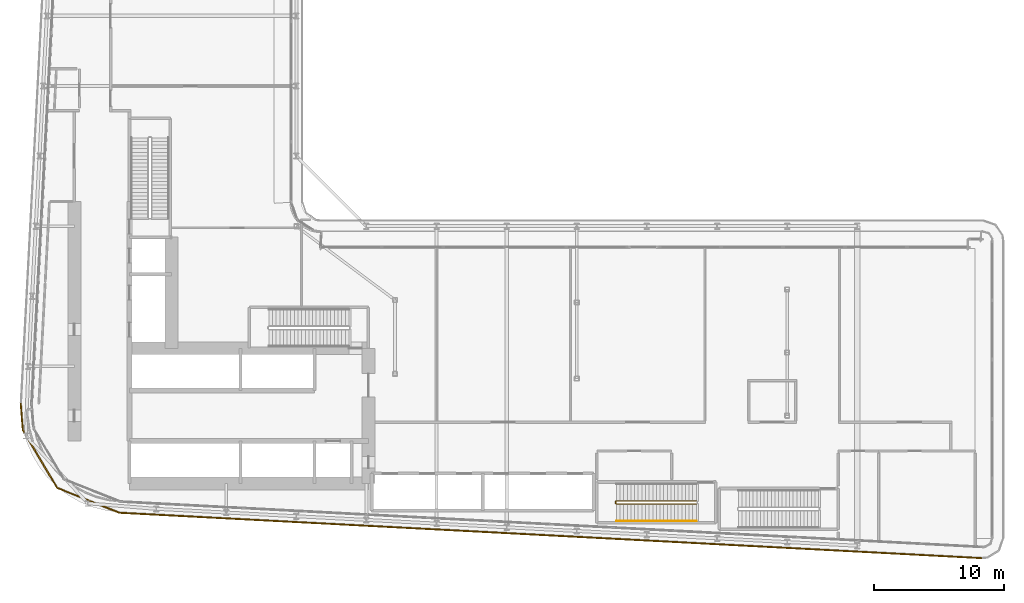
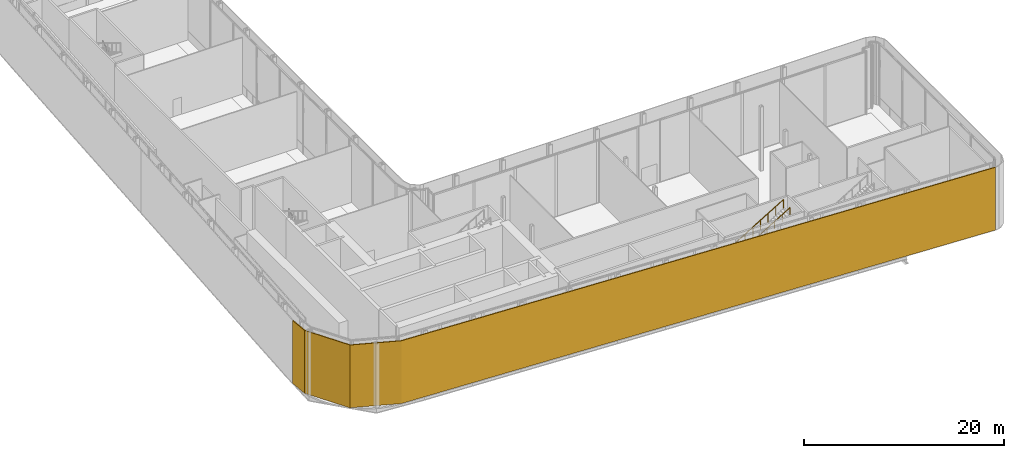
# One storey, part 32 of 36: 2 railings, 1 shading device.
"""IFC4 building model written with IfcOpenShell, lengths in metres."""

from ifc_helpers import new_model, si_unit, direction, frame, origin, origin_2d, place, context, subcontext, project, spatial, polyline, circle, outline, extrude, material, layer, layer_set, type_object, element, save


model = new_model("IFC4")

# Units and contexts
model_context = context("Model", 3, precision=1e-05, world=origin(), true_north=direction((0.0, 1.0)))
body_context = subcontext(model_context, "Body", "Model", "MODEL_VIEW")
ifc_project = project(units=[si_unit("LENGTHUNIT", "METRE"), si_unit("AREAUNIT", "SQUARE_METRE"), si_unit("VOLUMEUNIT", "CUBIC_METRE"), si_unit("PLANEANGLEUNIT", "RADIAN"), si_unit("MASSUNIT", "GRAM", prefix="KILO")], contexts=[model_context])

# Site, building, storey
site_placement = place(None, origin())
site = spatial("IfcSite", under=ifc_project, at=site_placement, CompositionType="ELEMENT")
building_placement = place(site_placement, origin())
building = spatial("IfcBuilding", under=site, at=building_placement, Name="Kheshtan School and Residences Tower", CompositionType="ELEMENT")
storey_placement = place(building_placement, frame((0.0, 0.0, 81.199951171875)))
storey = spatial("IfcBuildingStorey", under=building, at=storey_placement, Name="L19", CompositionType="ELEMENT", Elevation=81.199951171875)

# Shading device
ifc_material_1 = material(Name="Terracotta baguette, extruded ceramic", Category="masonry")
ifc_layer = layer(ifc_material_1, 0.10009765625)
ifc_layer_set = layer_set([ifc_layer], Name="Ledge screen, terracotta baguettes")
shading_device_type = type_object("IfcShadingDeviceType", Name="Ledge screen, terracotta baguettes", PredefinedType="USERDEFINED", material=ifc_layer_set)
shading_device_placement = place(storey_placement, origin())
element("IfcShadingDevice", 1, at=shading_device_placement, inside=storey, type_object=shading_device_type, Name="Screen L19 5", ObjectType="BAGUETTE", PredefinedType="USERDEFINED", context=body_context, shape_type="SweptSolid", body=[
    extrude(outline(polyline([(100.4208984375, 20.0830078125), (33.989013671875, 23.580078125), (29.2119140625, 25.486083984375), (26.583984375, 29.906982421875), (26.419921875, 31.989013671875), (26.320068359375, 31.98095703125), (26.486083984375, 29.8759765625), (29.14306640625, 25.406005859375), (33.967041015625, 23.48095703125), (100.416015625, 19.98291015625), (100.4208984375, 20.0830078125)])), origin(), (0.0, 0.0, 1.0), 7.650146484375),
])

# Railings
ifc_material_2 = material(Name="Stainless steel balustrade", Category="steel")
railing_type_1 = type_object("IfcRailingType", Name="Stair guard 1100", PredefinedType="GUARDRAIL", material=ifc_material_2)
railing_1_placement = place(storey_placement, frame((78.409912109375, 24.449951171875, 0.169677734375)))
element("IfcRailing", 2, at=railing_1_placement, inside=storey, type_object=railing_type_1, Name="L19 ST5 stair guard 1", PredefinedType="GUARDRAIL", context=body_context, shape_type="SweptSolid", body=[
    extrude(circle(Radius=0.02392578125, at=origin_2d()), frame((0.0, 0.0, 1.076171875), z_axis=(-0.855370820849, 0.0, 0.518016176234), x_axis=(0.0, -1.0, 0.0)), (0.0, 0.0, 1.0), 7.201416015625),
    extrude(circle(Radius=0.02392578125, at=origin_2d()), frame((-6.159912109375, 0.0, 4.806640625), z_axis=(-0.707106781187, -0.707106781187, 0.0), x_axis=(0.707106781187, -0.707106781187, 0.0)), (0.0, 0.0, 1.0), 0.07080078125),
    extrude(circle(Radius=0.02392578125, at=origin_2d()), frame((-6.2099609375, -0.050048828125, 4.806640625), z_axis=(0.0, -1.0, 0.0), x_axis=(1.0, 0.0, 0.0)), (0.0, 0.0, 1.0), 0.14990234375),
    extrude(circle(Radius=0.02392578125, at=origin_2d()), frame((-6.2099609375, -0.199951171875, 4.806640625), z_axis=(0.272562526181, -0.272562526181, 0.92272386912), x_axis=(0.707106781187, 0.707106781187, 0.0)), (0.0, 0.0, 1.0), 0.18359375),
    extrude(circle(Radius=0.02392578125, at=origin_2d()), frame((-6.159912109375, -0.25, 4.97607421875), z_axis=(0.855370820849, 0.0, 0.518016176234), x_axis=(0.0, 1.0, 0.0)), (0.0, 0.0, 1.0), 7.201416015625),
    extrude(circle(Radius=0.02099609375, at=origin_2d()), origin(), (0.0, 0.0, 1.0), 1.052001953125),
    extrude(circle(Radius=0.02099609375, at=origin_2d()), frame((-0.8798828125, 0.0, 0.532958984375)), (0.0, 0.0, 1.0), 1.052001953125),
    extrude(circle(Radius=0.02099609375, at=origin_2d()), frame((-1.760009765625, 0.0, 1.06591796875)), (0.0, 0.0, 1.0), 1.052001953125),
    extrude(circle(Radius=0.02099609375, at=origin_2d()), frame((-2.639892578125, 0.0, 1.598876953125)), (0.0, 0.0, 1.0), 1.052001953125),
    extrude(circle(Radius=0.02099609375, at=origin_2d()), frame((-3.52001953125, 0.0, 2.131591796875)), (0.0, 0.0, 1.0), 1.052001953125),
    extrude(circle(Radius=0.02099609375, at=origin_2d()), frame((-4.39990234375, 0.0, 2.66455078125)), (0.0, 0.0, 1.0), 1.052001953125),
    extrude(circle(Radius=0.02099609375, at=origin_2d()), frame((-5.280029296875, 0.0, 3.197509765625)), (0.0, 0.0, 1.0), 1.052001953125),
    extrude(circle(Radius=0.02099609375, at=origin_2d()), frame((-6.159912109375, 0.0, 3.73046875)), (0.0, 0.0, 1.0), 1.052001953125),
    extrude(circle(Radius=0.02099609375, at=origin_2d()), frame((-6.2099609375, -0.050048828125, 3.73046875)), (0.0, 0.0, 1.0), 1.052001953125),
    extrude(circle(Radius=0.02099609375, at=origin_2d()), frame((-6.2099609375, -0.199951171875, 3.73046875)), (0.0, 0.0, 1.0), 1.052001953125),
    extrude(circle(Radius=0.02099609375, at=origin_2d()), frame((-6.159912109375, -0.25, 3.89990234375)), (0.0, 0.0, 1.0), 1.052001953125),
    extrude(circle(Radius=0.02099609375, at=origin_2d()), frame((-5.280029296875, -0.25, 4.432861328125)), (0.0, 0.0, 1.0), 1.052001953125),
    extrude(circle(Radius=0.02099609375, at=origin_2d()), frame((-4.39990234375, -0.25, 4.9658203125)), (0.0, 0.0, 1.0), 1.052001953125),
    extrude(circle(Radius=0.02099609375, at=origin_2d()), frame((-3.52001953125, -0.25, 5.498779296875)), (0.0, 0.0, 1.0), 1.052001953125),
    extrude(circle(Radius=0.02099609375, at=origin_2d()), frame((-2.639892578125, -0.25, 6.031494140625)), (0.0, 0.0, 1.0), 1.052001953125),
    extrude(circle(Radius=0.02099609375, at=origin_2d()), frame((-1.760009765625, -0.25, 6.564453125)), (0.0, 0.0, 1.0), 1.052001953125),
    extrude(circle(Radius=0.02099609375, at=origin_2d()), frame((-0.8798828125, -0.25, 7.097412109375)), (0.0, 0.0, 1.0), 1.052001953125),
    extrude(circle(Radius=0.02099609375, at=origin_2d()), frame((0.0, -0.25, 7.63037109375)), (0.0, 0.0, 1.0), 1.052001953125),
])
ifc_material_3 = material(Name="Stainless steel handrail", Category="steel")
railing_type_2 = type_object("IfcRailingType", Name="Stair handrail 900", PredefinedType="HANDRAIL", material=ifc_material_3)
railing_2_placement = place(storey_placement, frame((72.25, 22.89990234375, 4.069580078125)))
element("IfcRailing", 3, at=railing_2_placement, inside=storey, type_object=railing_type_2, Name="L19 ST5 stair handrail 2", PredefinedType="HANDRAIL", context=body_context, shape_type="SweptSolid", body=[
    extrude(circle(Radius=0.02392578125, at=origin_2d()), frame((0.0, 0.0, 0.8759765625), z_axis=(0.855370820849, 0.0, 0.518016176234), x_axis=(0.0, 1.0, 0.0)), (0.0, 0.0, 1.0), 7.201416015625),
    extrude(circle(Radius=0.02099609375, at=origin_2d()), origin(), (0.0, 0.0, 1.0), 0.851806640625),
    extrude(circle(Radius=0.02099609375, at=origin_2d()), frame((0.8798828125, 0.0, 0.532958984375)), (0.0, 0.0, 1.0), 0.851806640625),
    extrude(circle(Radius=0.02099609375, at=origin_2d()), frame((1.760009765625, 0.0, 1.06591796875)), (0.0, 0.0, 1.0), 0.851806640625),
    extrude(circle(Radius=0.02099609375, at=origin_2d()), frame((2.639892578125, 0.0, 1.598876953125)), (0.0, 0.0, 1.0), 0.851806640625),
    extrude(circle(Radius=0.02099609375, at=origin_2d()), frame((3.52001953125, 0.0, 2.131591796875)), (0.0, 0.0, 1.0), 0.851806640625),
    extrude(circle(Radius=0.02099609375, at=origin_2d()), frame((4.39990234375, 0.0, 2.66455078125)), (0.0, 0.0, 1.0), 0.851806640625),
    extrude(circle(Radius=0.02099609375, at=origin_2d()), frame((5.280029296875, 0.0, 3.197509765625)), (0.0, 0.0, 1.0), 0.851806640625),
    extrude(circle(Radius=0.02099609375, at=origin_2d()), frame((6.159912109375, 0.0, 3.73046875)), (0.0, 0.0, 1.0), 0.851806640625),
])

save(model, "model.ifc")
